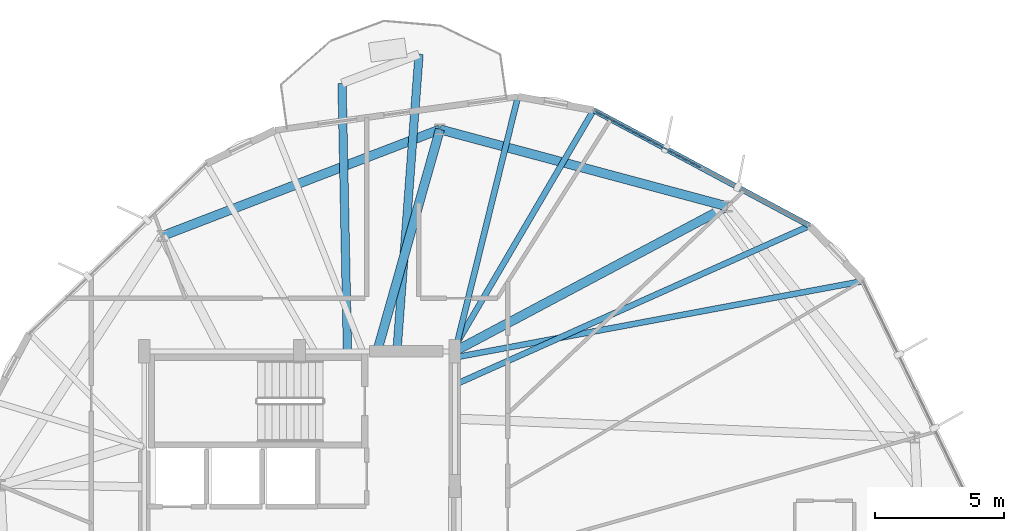
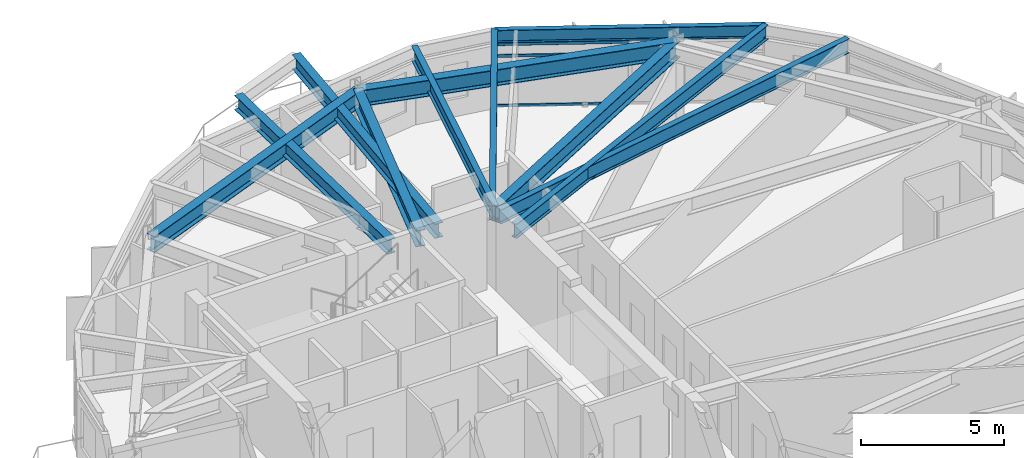
# One storey, part 15 of 26: 11 beams, 3 members, 1 element without a shape of its own.
"""IFC4 building model written with IfcOpenShell, lengths in metres."""

from ifc_helpers import new_model, si_unit, direction, frame, origin, origin_2d, place, context, subcontext, project, spatial, hollow_rectangle, i_section, extrude, material, layer, layer_set, material_profile, profile_set, type_object, element, aggregate, save


model = new_model("IFC4")

# Units and contexts
model_context = context("Model", 3, precision=1e-05, world=origin(), true_north=direction((0.0, 1.0)))
body_context = subcontext(model_context, "Body", "Model", "MODEL_VIEW")
ifc_project = project(units=[si_unit("LENGTHUNIT", "METRE"), si_unit("AREAUNIT", "SQUARE_METRE"), si_unit("VOLUMEUNIT", "CUBIC_METRE"), si_unit("PLANEANGLEUNIT", "RADIAN"), si_unit("MASSUNIT", "GRAM", prefix="KILO")], contexts=[model_context])

# Site, building, storey
site_placement = place(None, origin())
site = spatial("IfcSite", under=ifc_project, at=site_placement, CompositionType="ELEMENT")
building_placement = place(site_placement, origin())
building = spatial("IfcBuilding", under=site, at=building_placement, Name="Soratama Intermodal Tower", CompositionType="ELEMENT")
storey_placement = place(building_placement, frame((0.0, 0.0, 194.199951171875)))
storey = spatial("IfcBuildingStorey", under=building, at=storey_placement, Name="L48", CompositionType="ELEMENT", Elevation=194.199951171875)

# Beams
ifc_material_1 = material(Name="Structural steel ASTM A992 Grade 50", Category="steel")
ifc_material_profile_1 = material_profile(ifc_material_1, i_section(OverallWidth=0.324951171875, OverallDepth=0.615966796875, WebThickness=0.013916015625, FlangeThickness=0.021484375, FilletRadius=0.013916015625, at=origin_2d()), Name="W24X117")
ifc_profile_set_1 = profile_set([ifc_material_profile_1], Name="Structural steel ASTM A992 Grade 50")
beam_type_1 = type_object("IfcBeamType", Name="BM-CANT-W24X117", PredefinedType="BEAM", material=ifc_profile_set_1)
beam_1_placement = place(storey_placement, frame((42.366943359375, 35.0400390625, 2.991943359375), z_axis=(0.074334033686, 0.997233398677, 0.0), x_axis=(-0.997233398677, 0.074334033686, 0.0)))
element("IfcBeam", 1, at=beam_1_placement, inside=storey, type_object=beam_type_1, Name="BM-L48-CANT-2-1", PredefinedType="BEAM", context=body_context, shape_type="SweptSolid", body=[
    extrude(i_section(OverallWidth=0.324951171875, OverallDepth=0.615966796875, WebThickness=0.013916015625, FlangeThickness=0.021484375, FilletRadius=0.013916015625, at=origin_2d()), origin(), (0.0, 0.0, 1.0), 11.4755859375),
])
beam_2_placement = place(storey_placement, frame((40.450927734375, 35.0400390625, 2.991943359375), z_axis=(-0.020157766186, 0.999796811588, 0.0), x_axis=(-0.999796811588, -0.020157766186, 0.0)))
element("IfcBeam", 2, at=beam_2_placement, inside=storey, type_object=beam_type_1, Name="BM-L48-CANT-2-2", PredefinedType="BEAM", context=body_context, shape_type="SweptSolid", body=[
    extrude(i_section(OverallWidth=0.324951171875, OverallDepth=0.615966796875, WebThickness=0.013916015625, FlangeThickness=0.021484375, FilletRadius=0.013916015625, at=origin_2d()), origin(), (0.0, 0.0, 1.0), 10.319091796875),
])
ifc_material_2 = material(Name="Structural steel ASTM A992 Grade 50", Category="steel")
ifc_material_profile_2 = material_profile(ifc_material_2, i_section(OverallWidth=0.35498046875, OverallDepth=0.695068359375, WebThickness=0.015380859375, FlangeThickness=0.02490234375, FilletRadius=0.01611328125, at=origin_2d()), Name="W27X146")
ifc_profile_set_2 = profile_set([ifc_material_profile_2], Name="Structural steel ASTM A992 Grade 50")
beam_type_2 = type_object("IfcBeamType", Name="BM-RING-W27X146", PredefinedType="BEAM", material=ifc_profile_set_2)
beam_3_placement = place(storey_placement, frame((55.1298828125, 40.59912109375, 2.95263671875), z_axis=(-0.965907374298, 0.258887899055, 0.0), x_axis=(-0.258887899055, -0.965907374298, 0.0)))
element("IfcBeam", 3, at=beam_3_placement, inside=storey, type_object=beam_type_2, Name="BM-L48-RING-02", PredefinedType="BEAM", context=body_context, shape_type="SweptSolid", body=[
    extrude(i_section(OverallWidth=0.35498046875, OverallDepth=0.695068359375, WebThickness=0.015380859375, FlangeThickness=0.02490234375, FilletRadius=0.01611328125, at=origin_2d()), origin(), (0.0, 0.0, 1.0), 11.49462890625),
])
beam_4_placement = place(storey_placement, frame((44.027099609375, 43.574951171875, 2.95263671875), z_axis=(-0.933575304305, -0.358381293026, 0.0), x_axis=(0.358381293026, -0.933575304305, 0.0)))
element("IfcBeam", 4, at=beam_4_placement, inside=storey, type_object=beam_type_2, Name="BM-L48-RING-03", PredefinedType="BEAM", context=body_context, shape_type="SweptSolid", body=[
    extrude(i_section(OverallWidth=0.35498046875, OverallDepth=0.695068359375, WebThickness=0.015380859375, FlangeThickness=0.02490234375, FilletRadius=0.01611328125, at=origin_2d()), origin(), (0.0, 0.0, 1.0), 11.495849609375),
])
beam_5_placement = place(storey_placement, frame((44.60009765625, 35.0, 2.95263671875), z_axis=(0.882935948236, 0.469493462482, 0.0), x_axis=(-0.469493462482, 0.882935948236, 0.0)))
element("IfcBeam", 5, at=beam_5_placement, inside=storey, type_object=beam_type_2, Name="BM-L48-RAD-02", PredefinedType="BEAM", context=body_context, shape_type="SweptSolid", body=[
    extrude(i_section(OverallWidth=0.35498046875, OverallDepth=0.695068359375, WebThickness=0.015380859375, FlangeThickness=0.02490234375, FilletRadius=0.01611328125, at=origin_2d()), origin(), (0.0, 0.0, 1.0), 11.92578125),
])
beam_6_placement = place(storey_placement, frame((41.60009765625, 35.0, 2.95263671875), z_axis=(0.272335865412, 0.96220225338, 0.0), x_axis=(-0.96220225338, 0.272335865412, 0.0)))
element("IfcBeam", 6, at=beam_6_placement, inside=storey, type_object=beam_type_2, Name="BM-L48-RAD-03", PredefinedType="BEAM", context=body_context, shape_type="SweptSolid", body=[
    extrude(i_section(OverallWidth=0.35498046875, OverallDepth=0.695068359375, WebThickness=0.015380859375, FlangeThickness=0.02490234375, FilletRadius=0.01611328125, at=origin_2d()), origin(), (0.0, 0.0, 1.0), 8.911865234375),
])
ifc_material_3 = material(Name="Structural steel ASTM A992 Grade 50", Category="steel")
ifc_material_profile_3 = material_profile(ifc_material_3, i_section(OverallWidth=0.2099609375, OverallDepth=0.537109375, WebThickness=0.010986328125, FlangeThickness=0.017333984375, FilletRadius=0.012939453125, at=origin_2d()), Name="W21X68")
ifc_profile_set_3 = profile_set([ifc_material_profile_3], Name="Structural steel ASTM A992 Grade 50")
beam_type_3 = type_object("IfcBeamType", Name="BM-SPN-W21X68", PredefinedType="SPANDREL", material=ifc_profile_set_3)
beam_7_placement = place(storey_placement, frame((58.31298828125, 39.85107421875, 3.031494140625), z_axis=(-0.881776413955, 0.471667632759, 0.0), x_axis=(-0.471667632759, -0.881776413955, 0.0)))
element("IfcBeam", 7, at=beam_7_placement, inside=storey, type_object=beam_type_3, Name="BS-L48-F01", PredefinedType="SPANDREL", context=body_context, shape_type="SweptSolid", body=[
    extrude(i_section(OverallWidth=0.2099609375, OverallDepth=0.537109375, WebThickness=0.010986328125, FlangeThickness=0.017333984375, FilletRadius=0.012939453125, at=origin_2d()), origin(), (0.0, 0.0, 1.0), 9.470703125),
])
ifc_material_4 = material(Name="Structural steel ASTM A992 Grade 50", Category="steel")
ifc_material_profile_4 = material_profile(ifc_material_4, i_section(OverallWidth=0.22900390625, OverallDepth=0.612060546875, WebThickness=0.011962890625, FlangeThickness=0.01953125, FilletRadius=0.012939453125, at=origin_2d()), Name="W24X84")
ifc_profile_set_4 = profile_set([ifc_material_profile_4], Name="Structural steel ASTM A992 Grade 50")
beam_type_4 = type_object("IfcBeamType", Name="BM-TIE-W24X84", PredefinedType="BEAM", material=ifc_profile_set_4)
beam_8_placement = place(storey_placement, frame((44.636962890625, 33.72607421875, 2.994140625), z_axis=(0.912649562652, 0.408742921396, 0.0), x_axis=(-0.408742921396, 0.912649562652, 0.0)))
element("IfcBeam", 8, at=beam_8_placement, inside=storey, type_object=beam_type_4, Name="BM-L48-TIE0-01", PredefinedType="BEAM", context=body_context, shape_type="SweptSolid", body=[
    extrude(i_section(OverallWidth=0.22900390625, OverallDepth=0.612060546875, WebThickness=0.011962890625, FlangeThickness=0.01953125, FilletRadius=0.012939453125, at=origin_2d()), origin(), (0.0, 0.0, 1.0), 14.98486328125),
])
beam_9_placement = place(storey_placement, frame((44.513916015625, 35.033935546875, 2.994140625), z_axis=(0.506103021824, 0.862473032217, 0.0), x_axis=(-0.862473032217, 0.506103021824, 0.0)))
element("IfcBeam", 9, at=beam_9_placement, inside=storey, type_object=beam_type_4, Name="BM-L48-TIE1-01", PredefinedType="BEAM", context=body_context, shape_type="SweptSolid", body=[
    extrude(i_section(OverallWidth=0.22900390625, OverallDepth=0.612060546875, WebThickness=0.011962890625, FlangeThickness=0.01953125, FilletRadius=0.012939453125, at=origin_2d()), origin(), (0.0, 0.0, 1.0), 10.7646484375),
])
beam_10_placement = place(storey_placement, frame((44.610107421875, 34.9951171875, 2.994140625), z_axis=(0.239809957634, 0.970819851579, 0.0), x_axis=(-0.970819851579, 0.239809957634, 0.0)))
element("IfcBeam", 10, at=beam_10_placement, inside=storey, type_object=beam_type_4, Name="BM-L48-TIE0-02", PredefinedType="BEAM", context=body_context, shape_type="SweptSolid", body=[
    extrude(i_section(OverallWidth=0.22900390625, OverallDepth=0.612060546875, WebThickness=0.011962890625, FlangeThickness=0.01953125, FilletRadius=0.012939453125, at=origin_2d()), origin(), (0.0, 0.0, 1.0), 10.140869140625),
])
beam_11_placement = place(storey_placement, frame((44.638916015625, 34.77001953125, 2.994140625), z_axis=(0.98295671201, 0.183837162498, 0.0), x_axis=(-0.183837162498, 0.98295671201, 0.0)))
element("IfcBeam", 11, at=beam_11_placement, inside=storey, type_object=beam_type_4, Name="BM-L48-TIE1-10", PredefinedType="BEAM", context=body_context, shape_type="SweptSolid", body=[
    extrude(i_section(OverallWidth=0.22900390625, OverallDepth=0.612060546875, WebThickness=0.011962890625, FlangeThickness=0.01953125, FilletRadius=0.012939453125, at=origin_2d()), origin(), (0.0, 0.0, 1.0), 16.002685546875),
])

# Curtain wall, members
ifc_material_5 = material(Name="Double-glazed aluminium curtain wall", Category="aluminium")
ifc_layer = layer(ifc_material_5, 0.159912109375)
ifc_layer_set = layer_set([ifc_layer], Name="Double-glazed aluminium curtain wall")
curtain_wall_type = type_object("IfcCurtainWallType", Name="CW-SYS-5", PredefinedType="NOTDEFINED", material=ifc_layer_set)
curtain_wall_placement = place(storey_placement, origin())
curtain_wall = element("IfcCurtainWall", 12, at=curtain_wall_placement, inside=storey, type_object=curtain_wall_type, Name="L48 Faceted Curtain Wall F01", PredefinedType="NOTDEFINED")
ifc_material_6 = material(Name="Anodised aluminium AA 6063-T6", Category="aluminium")
ifc_material_profile_5 = material_profile(ifc_material_6, hollow_rectangle(XDim=0.06005859375, YDim=0.1298828125, WallThickness=0.0048828125, InnerFilletRadius=0.0048828125, OuterFilletRadius=0.010009765625, at=origin_2d()), Name="CWT130X60X5")
ifc_profile_set_5 = profile_set([ifc_material_profile_5], Name="Anodised aluminium AA 6063-T6")
member_type = type_object("IfcMemberType", Name="TT-CWT-2", PredefinedType="USERDEFINED", material=ifc_profile_set_5)
member_1_placement = place(storey_placement, frame((54.111083984375, 42.0986328125, 0.030029296875), z_axis=(-0.881802431852, 0.471618989418, 0.0), x_axis=(-0.471618989418, -0.881802431852, 0.0)))
member_1 = element("IfcMember", 13, at=member_1_placement, type_object=member_type, Name="CW-5 transom 2.1", ObjectType="TRANSOM", PredefinedType="USERDEFINED", context=body_context, shape_type="SweptSolid", body=[
    extrude(hollow_rectangle(XDim=0.06005859375, YDim=0.1298828125, WallThickness=0.0048828125, InnerFilletRadius=0.0048828125, OuterFilletRadius=0.010009765625, at=origin_2d()), origin(), (0.0, 0.0, 1.0), 4.6455078125),
])
member_2_placement = place(storey_placement, frame((54.111083984375, 42.0986328125, 2.150146484375), z_axis=(-0.881802431852, 0.471618989418, 0.0), x_axis=(-0.471618989418, -0.881802431852, 0.0)))
member_2 = element("IfcMember", 14, at=member_2_placement, type_object=member_type, Name="CW-5 transom 2.2", ObjectType="TRANSOM", PredefinedType="USERDEFINED", context=body_context, shape_type="SweptSolid", body=[
    extrude(hollow_rectangle(XDim=0.06005859375, YDim=0.1298828125, WallThickness=0.0048828125, InnerFilletRadius=0.0048828125, OuterFilletRadius=0.010009765625, at=origin_2d()), origin(), (0.0, 0.0, 1.0), 4.6455078125),
])
member_3_placement = place(storey_placement, frame((54.111083984375, 42.0986328125, 2.649169921875), z_axis=(-0.881802431852, 0.471618989418, 0.0), x_axis=(-0.471618989418, -0.881802431852, 0.0)))
member_3 = element("IfcMember", 15, at=member_3_placement, type_object=member_type, Name="CW-5 transom 2.3", ObjectType="TRANSOM", PredefinedType="USERDEFINED", context=body_context, shape_type="SweptSolid", body=[
    extrude(hollow_rectangle(XDim=0.06005859375, YDim=0.1298828125, WallThickness=0.0048828125, InnerFilletRadius=0.0048828125, OuterFilletRadius=0.010009765625, at=origin_2d()), origin(), (0.0, 0.0, 1.0), 4.6455078125),
])
aggregate(curtain_wall, [member_1, member_2, member_3])

save(model, "model.ifc")
